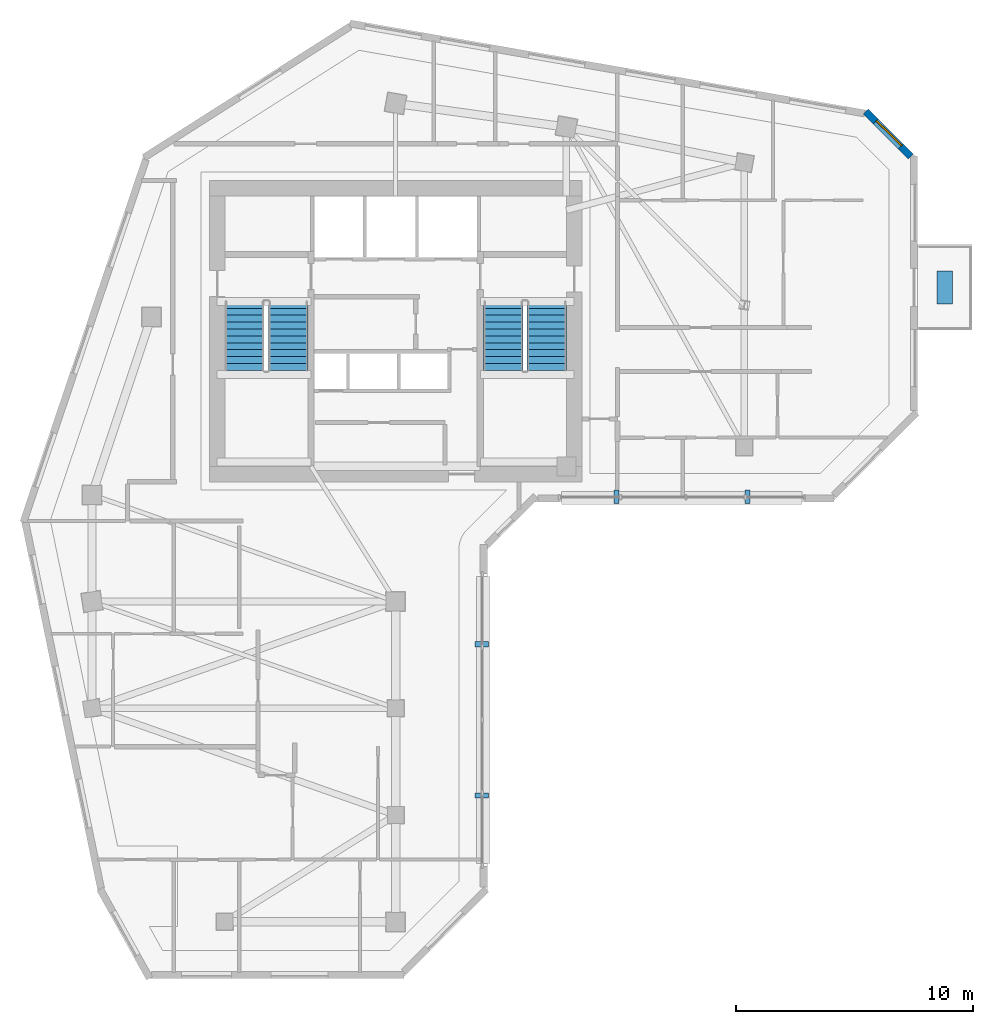
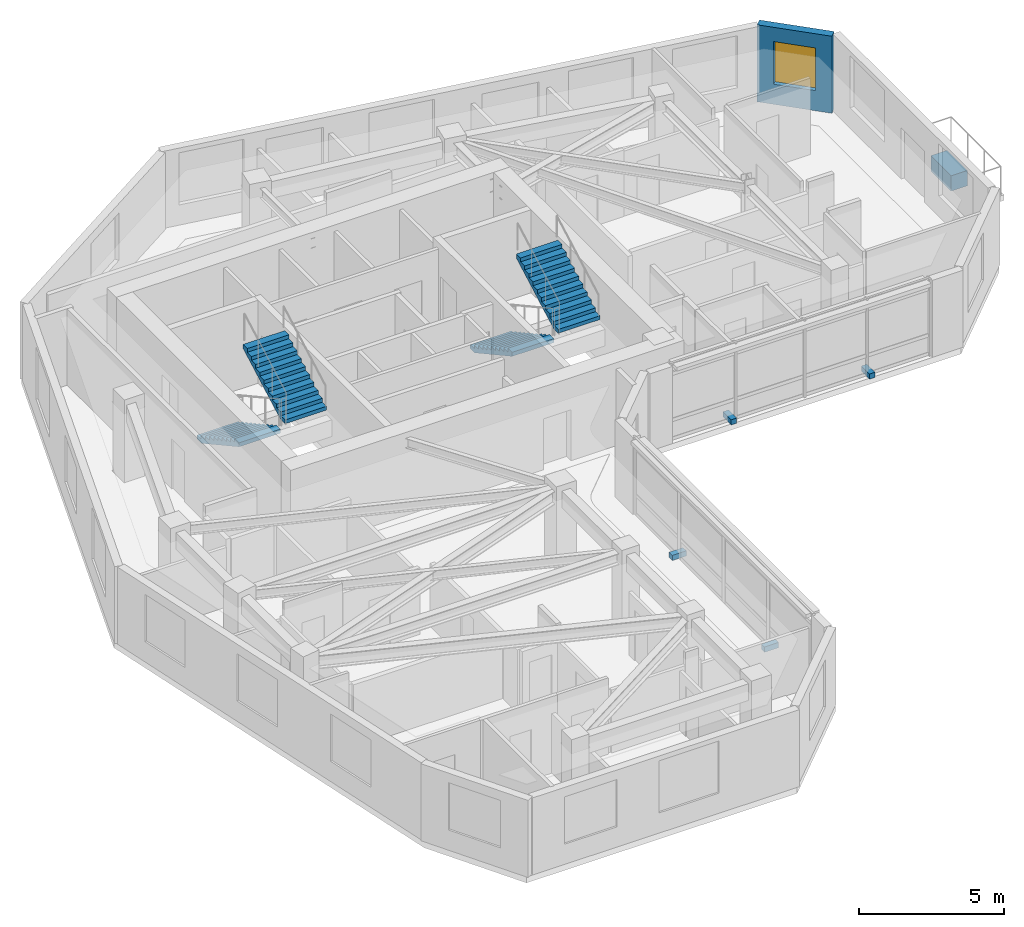
# One storey, part 7 of 10: 5 discrete accessories, 4 stair flights, 1 wall, 1 window, 1 opening, 2 elements without a shape of their own.
"""IFC4 building model written with IfcOpenShell, lengths in metres."""

from ifc_helpers import new_model, si_unit, direction, frame, frame_2d, origin, origin_2d, place, context, subcontext, project, spatial, polyline, rectangle, outline, extrude, source, transform, mapped, material, layer, layer_set, type_object, element, fill, aggregate, save


model = new_model("IFC4")

# Units and contexts
model_context = context("Model", 3, precision=1e-05, world=origin(), true_north=direction((0.0, 1.0)))
body_context = subcontext(model_context, "Body", "Model", "MODEL_VIEW")
ifc_project = project(units=[si_unit("LENGTHUNIT", "METRE"), si_unit("AREAUNIT", "SQUARE_METRE"), si_unit("VOLUMEUNIT", "CUBIC_METRE"), si_unit("PLANEANGLEUNIT", "RADIAN"), si_unit("MASSUNIT", "GRAM", prefix="KILO")], contexts=[model_context])

# Site, building, storey
site_placement = place(None, origin())
site = spatial("IfcSite", under=ifc_project, at=site_placement, CompositionType="ELEMENT")
building_placement = place(site_placement, origin())
building = spatial("IfcBuilding", under=site, at=building_placement, Name="Calvemar Wedge Station Tower", CompositionType="ELEMENT")
storey_placement = place(building_placement, frame((0.0, 0.0, 214.89990234375)))
storey = spatial("IfcBuildingStorey", under=building, at=storey_placement, Name="L54", CompositionType="ELEMENT", Elevation=214.89990234375)

# Wall, opening, window
ifc_material_1 = material(Name="Precast concrete C45", Category="concrete")
ifc_layer = layer(ifc_material_1, 0.300048828125)
ifc_layer_set = layer_set([ifc_layer], Name="Precast concrete C45")
wall_type = type_object("IfcWallType", Name="W-EXT-GFRC-300", PredefinedType="SOLIDWALL", material=ifc_layer_set)
wall_placement = place(storey_placement, frame((45.511962890625, 47.267822265625, 0.0), z_axis=(0.0, 0.0, 1.0), x_axis=(-0.707106781187, 0.707106781187, 0.0)))
wall = element("IfcWall", 1, at=wall_placement, inside=storey, type_object=wall_type, Name="Storey L54 Bronze GFRC Exterior Wall 9", PredefinedType="SOLIDWALL", context=body_context, shape_type="SweptSolid", body=[
    extrude(rectangle(XDim=2.673828125, YDim=0.300048828125, at=frame_2d((1.3369140625, 0.0))), origin(), (0.0, 0.0, 1.0), 3.25),
])
shared_shape_1 = source(origin(), body_context, "Body", "SweptSolid", [
    extrude(rectangle(XDim=1.5, YDim=1.800048828125, at=frame_2d((0.75, 0.89990234375))), frame((0.0, 0.16015625, 0.0), z_axis=(0.0, -1.0, 0.0), x_axis=(1.0, 0.0, 0.0)), (0.0, 0.0, 1.0), 0.320068359375),
])
opening_placement = place(wall_placement, frame((0.5869140625, 0.0, 0.85009765625)))
opening = element("IfcOpeningElement", 2, at=opening_placement, cuts=wall, Name="Opening W3", PredefinedType="OPENING", context=body_context, shape_type="MappedRepresentation", body=[
    mapped(shared_shape_1, transform((0.0, 0.0, 0.0), scale=1.0)),
])
ifc_material_2 = material(Name="Low-E laminated insulated glass", Category="glass")
window_type = type_object("IfcWindowType", Name="WIN-EXT-3", PartitioningType="SINGLE_PANEL", PredefinedType="WINDOW", material=ifc_material_2)
shared_shape_2 = source(origin(), body_context, "Body", "SweptSolid", [
    extrude(rectangle(XDim=1.5, YDim=1.800048828125, at=frame_2d((0.75, 0.89990234375))), frame((0.0, -0.014892578125, 0.0), z_axis=(0.0, -1.0, 0.0), x_axis=(1.0, 0.0, 0.0)), (0.0, 0.0, 1.0), 0.06005859375),
])
window_placement = place(opening_placement, origin())
window = element("IfcWindow", 3, at=window_placement, inside=storey, type_object=window_type, Name="Storey L54 Recessed Window 9.1", OverallHeight=1.800048828125, OverallWidth=1.5, PartitioningType="SINGLE_PANEL", PredefinedType="WINDOW", context=body_context, shape_type="MappedRepresentation", body=[
    mapped(shared_shape_2, transform((0.0, 0.0, 0.0), scale=1.0)),
])
fill(opening, window)

# Stair, stair flights
ifc_material_3 = material(Name="Concrete C45", Category="concrete")
stair_type = type_object("IfcStairType", Name="ST-TYPE-3500", PredefinedType="HALF_TURN_STAIR", material=ifc_material_3)
stair_1_placement = place(storey_placement, origin())
stair_1 = element("IfcStair", 4, at=stair_1_placement, inside=storey, type_object=stair_type, Name="L54 Pressurized Core Exit Stair ST-C1", PredefinedType="HALF_TURN_STAIR")
stair_flight_type = type_object("IfcStairFlightType", Name="STF-TYPE-3500", PredefinedType="STRAIGHT", material=ifc_material_3)
stair_flight_1_placement = place(storey_placement, frame((17.429931640625, 41.14990234375, 0.0), z_axis=(0.0, 0.0, 1.0), x_axis=(0.0, -1.0, 0.0)))
stair_flight_1 = element("IfcStairFlight", 5, at=stair_flight_1_placement, type_object=stair_flight_type, Name="ST-C1 flight 1", NumberOfRisers=11, NumberOfTreads=10, PredefinedType="STRAIGHT", RiserHeight=0.159090909, TreadLength=0.29, context=body_context, shape_type="SweptSolid", body=[
    extrude(outline(polyline([(0.0, 0.0), (0.0, 0.1591796875), (0.2900390625, 0.1591796875), (0.2900390625, 0.318115234375), (0.580078125, 0.318115234375), (0.580078125, 0.477294921875), (0.8701171875, 0.477294921875), (0.8701171875, 0.636474609375), (1.159912109375, 0.636474609375), (1.159912109375, 0.79541015625), (1.449951171875, 0.79541015625), (1.449951171875, 0.95458984375), (1.739990234375, 0.95458984375), (1.739990234375, 1.113525390625), (2.030029296875, 1.113525390625), (2.030029296875, 1.272705078125), (2.320068359375, 1.272705078125), (2.320068359375, 1.431884765625), (2.610107421875, 1.431884765625), (2.610107421875, 1.5908203125), (2.89990234375, 1.5908203125), (2.89990234375, 1.75), (2.89990234375, 1.419921875), (0.311767578125, 0.0), (0.0, 0.0)])), frame((0.0, 0.830078125, 0.0), z_axis=(0.0, -1.0, 0.0), x_axis=(1.0, 0.0, 0.0)), (0.0, 0.0, 1.0), 1.659912109375),
])
stair_flight_2_placement = place(storey_placement, frame((19.27001953125, 38.25, 1.75), z_axis=(0.0, 0.0, 1.0), x_axis=(0.0, 1.0, 0.0)))
stair_flight_2 = element("IfcStairFlight", 6, at=stair_flight_2_placement, type_object=stair_flight_type, Name="ST-C1 flight 2", NumberOfRisers=11, NumberOfTreads=10, PredefinedType="STRAIGHT", RiserHeight=0.159090909, TreadLength=0.29, context=body_context, shape_type="SweptSolid", body=[
    extrude(outline(polyline([(0.0, 0.0), (0.0, 0.1591796875), (0.2900390625, 0.1591796875), (0.2900390625, 0.318115234375), (0.580078125, 0.318115234375), (0.580078125, 0.477294921875), (0.8701171875, 0.477294921875), (0.8701171875, 0.636474609375), (1.159912109375, 0.636474609375), (1.159912109375, 0.79541015625), (1.449951171875, 0.79541015625), (1.449951171875, 0.95458984375), (1.739990234375, 0.95458984375), (1.739990234375, 1.113525390625), (2.030029296875, 1.113525390625), (2.030029296875, 1.272705078125), (2.320068359375, 1.272705078125), (2.320068359375, 1.431884765625), (2.610107421875, 1.431884765625), (2.610107421875, 1.5908203125), (2.89990234375, 1.5908203125), (2.89990234375, 1.75), (2.89990234375, 1.419921875), (0.311767578125, 0.0), (0.0, 0.0)])), frame((0.0, 0.830078125, 0.0), z_axis=(0.0, -1.0, 0.0), x_axis=(1.0, 0.0, 0.0)), (0.0, 0.0, 1.0), 1.659912109375),
])
aggregate(stair_1, [stair_flight_1, stair_flight_2])

stair_2_placement = place(storey_placement, origin())
stair_2 = element("IfcStair", 7, at=stair_2_placement, inside=storey, type_object=stair_type, Name="L54 Pressurized Core Exit Stair ST-C2", PredefinedType="HALF_TURN_STAIR")
stair_flight_3_placement = place(storey_placement, frame((28.330078125, 41.14990234375, 0.0), z_axis=(0.0, 0.0, 1.0), x_axis=(0.0, -1.0, 0.0)))
stair_flight_3 = element("IfcStairFlight", 8, at=stair_flight_3_placement, type_object=stair_flight_type, Name="ST-C2 flight 1", NumberOfRisers=11, NumberOfTreads=10, PredefinedType="STRAIGHT", RiserHeight=0.159090909, TreadLength=0.29, context=body_context, shape_type="SweptSolid", body=[
    extrude(outline(polyline([(0.0, 0.0), (0.0, 0.1591796875), (0.2900390625, 0.1591796875), (0.2900390625, 0.318115234375), (0.580078125, 0.318115234375), (0.580078125, 0.477294921875), (0.8701171875, 0.477294921875), (0.8701171875, 0.636474609375), (1.159912109375, 0.636474609375), (1.159912109375, 0.79541015625), (1.449951171875, 0.79541015625), (1.449951171875, 0.95458984375), (1.739990234375, 0.95458984375), (1.739990234375, 1.113525390625), (2.030029296875, 1.113525390625), (2.030029296875, 1.272705078125), (2.320068359375, 1.272705078125), (2.320068359375, 1.431884765625), (2.610107421875, 1.431884765625), (2.610107421875, 1.5908203125), (2.89990234375, 1.5908203125), (2.89990234375, 1.75), (2.89990234375, 1.419921875), (0.311767578125, 0.0), (0.0, 0.0)])), frame((0.0, 0.830078125, 0.0), z_axis=(0.0, -1.0, 0.0), x_axis=(1.0, 0.0, 0.0)), (0.0, 0.0, 1.0), 1.659912109375),
])
stair_flight_4_placement = place(storey_placement, frame((30.169921875, 38.25, 1.75), z_axis=(0.0, 0.0, 1.0), x_axis=(0.0, 1.0, 0.0)))
stair_flight_4 = element("IfcStairFlight", 9, at=stair_flight_4_placement, type_object=stair_flight_type, Name="ST-C2 flight 2", NumberOfRisers=11, NumberOfTreads=10, PredefinedType="STRAIGHT", RiserHeight=0.159090909, TreadLength=0.29, context=body_context, shape_type="SweptSolid", body=[
    extrude(outline(polyline([(0.0, 0.0), (0.0, 0.1591796875), (0.2900390625, 0.1591796875), (0.2900390625, 0.318115234375), (0.580078125, 0.318115234375), (0.580078125, 0.477294921875), (0.8701171875, 0.477294921875), (0.8701171875, 0.636474609375), (1.159912109375, 0.636474609375), (1.159912109375, 0.79541015625), (1.449951171875, 0.79541015625), (1.449951171875, 0.95458984375), (1.739990234375, 0.95458984375), (1.739990234375, 1.113525390625), (2.030029296875, 1.113525390625), (2.030029296875, 1.272705078125), (2.320068359375, 1.272705078125), (2.320068359375, 1.431884765625), (2.610107421875, 1.431884765625), (2.610107421875, 1.5908203125), (2.89990234375, 1.5908203125), (2.89990234375, 1.75), (2.89990234375, 1.419921875), (0.311767578125, 0.0), (0.0, 0.0)])), frame((0.0, 0.830078125, 0.0), z_axis=(0.0, -1.0, 0.0), x_axis=(1.0, 0.0, 0.0)), (0.0, 0.0, 1.0), 1.659912109375),
])
aggregate(stair_2, [stair_flight_3, stair_flight_4])

# Discrete accessories
ifc_material_4 = material(Name="Stainless steel AISI 316L", Category="steel")
discrete_accessory_type_1 = type_object("IfcDiscreteAccessoryType", Name="BRK-316L", PredefinedType="BRACKET", material=ifc_material_4)
shared_shape_3 = source(origin(), body_context, "Body", "SweptSolid", [
    extrude(rectangle(XDim=0.219970703125, YDim=0.56005859375, at=origin_2d()), origin(), (0.0, 0.0, 1.0), 0.219970703125),
])
for number, where, z_axis, x_axis, name in (
    (10, (27.43408203125, 20.31982421875, 0.0), (0.0, 0.0, 1.0), (0.0, 1.0, 0.0), "Storey L54 Recessed Facade Stainless Bracket 4.1"),
    (11, (27.43408203125, 26.6962890625, 0.0), (0.0, 0.0, 1.0), (0.0, 1.0, 0.0), "Storey L54 Recessed Facade Stainless Bracket 4.2"),
    (12, (33.11181640625, 32.922119140625, 0.0), (0.0, 0.0, 1.0), (1.0, 0.0, 0.0), "Storey L54 Recessed Facade Stainless Bracket 6.1"),
    (13, (38.627685546875, 32.922119140625, 0.0), (0.0, 0.0, 1.0), (1.0, 0.0, 0.0), "Storey L54 Recessed Facade Stainless Bracket 6.2"),
):
    element("IfcDiscreteAccessory", number, at=place(storey_placement, frame(where, z_axis=z_axis, x_axis=x_axis)), inside=storey, type_object=discrete_accessory_type_1, Name=name, PredefinedType="BRACKET", context=body_context, shape_type="MappedRepresentation", body=[
        mapped(shared_shape_3, transform((0.0, 0.0, 0.0), scale=1.0)),
    ])
discrete_accessory_type_2 = type_object("IfcDiscreteAccessoryType", Name="ACC-PLANTER", PredefinedType="USERDEFINED", material=ifc_material_1)
shared_shape_4 = source(origin(), body_context, "Body", "SweptSolid", [
    extrude(rectangle(XDim=0.64990234375, YDim=1.39990234375, at=origin_2d()), origin(), (0.0, 0.0, 1.0), 0.64990234375),
])
discrete_accessory_placement = place(storey_placement, frame((46.949951171875, 41.741943359375, 0.000244140625), z_axis=(0.0, 0.0, 1.0), x_axis=(1.0, 0.0, 0.0)))
element("IfcDiscreteAccessory", 14, at=discrete_accessory_placement, inside=storey, type_object=discrete_accessory_type_2, Name="Storey L54 Planted Terrace GFRC Planter", ObjectType="PLANTER", PredefinedType="USERDEFINED", context=body_context, shape_type="MappedRepresentation", body=[
    mapped(shared_shape_4, transform((0.0, 0.0, 0.0), scale=1.0)),
])

save(model, "model.ifc")
